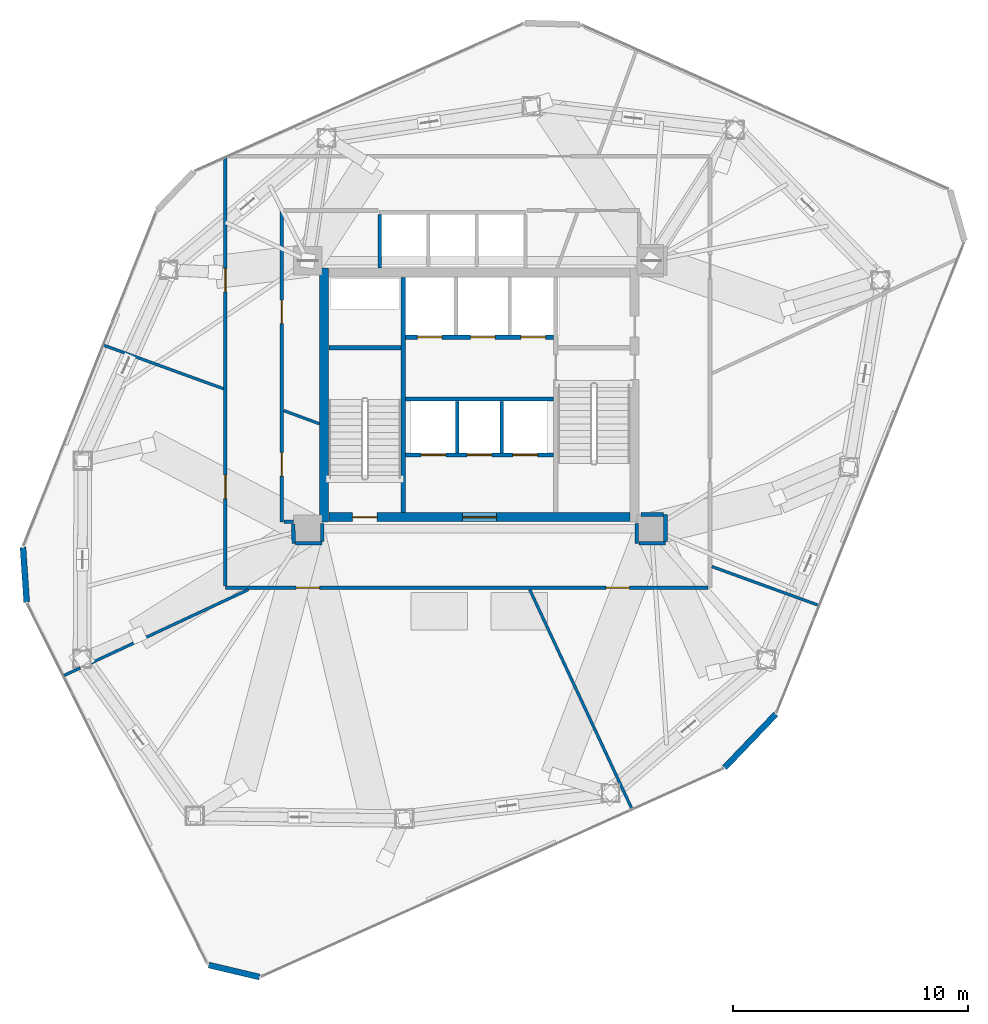
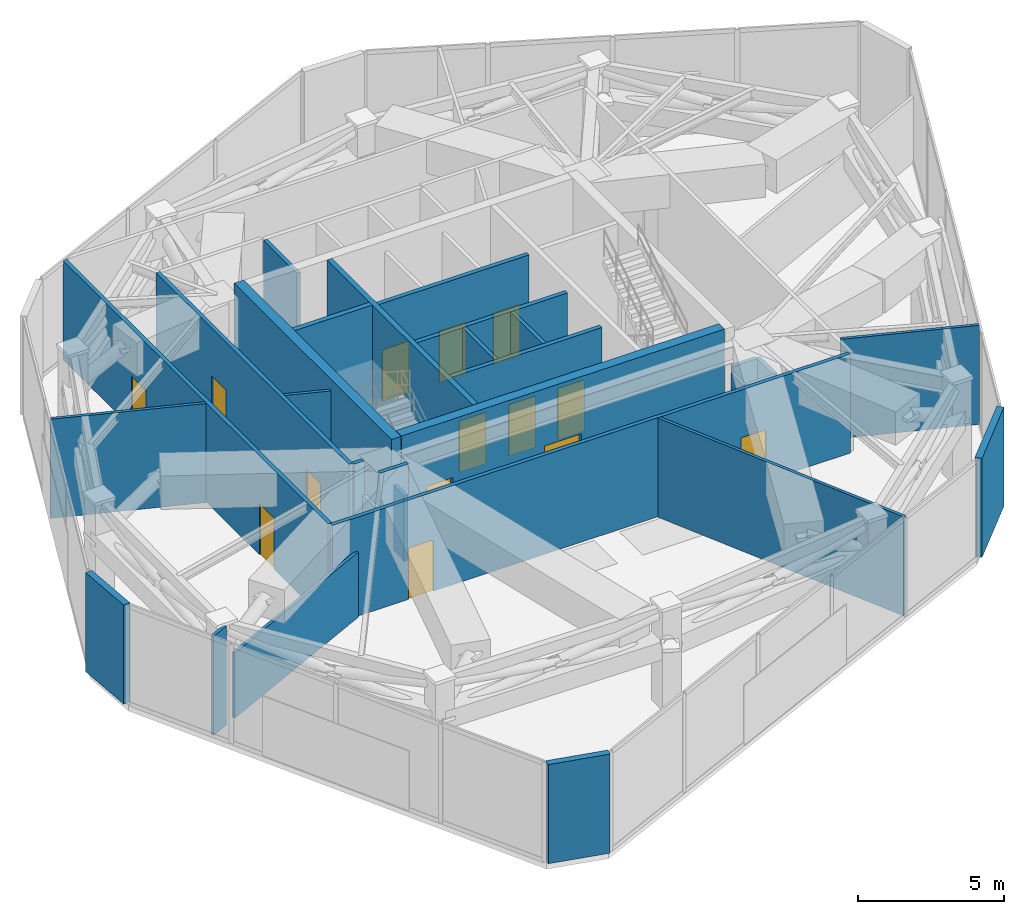
# One storey, part 18 of 21: 30 walls, 14 doors, 14 openings.
"""IFC4 building model written with IfcOpenShell, lengths in metres."""

from ifc_helpers import new_model, si_unit, direction, frame, frame_2d, origin, place, context, subcontext, project, spatial, rectangle, extrude, source, transform, mapped, material, layer, layer_set, type_object, type_shapes, element, fill, save


model = new_model("IFC4")

# Units and contexts
model_context = context("Model", 3, precision=1e-05, world=origin(), true_north=direction((0.0, 1.0)))
body_context = subcontext(model_context, "Body", "Model", "MODEL_VIEW")
ifc_project = project(units=[si_unit("LENGTHUNIT", "METRE"), si_unit("AREAUNIT", "SQUARE_METRE"), si_unit("VOLUMEUNIT", "CUBIC_METRE"), si_unit("PLANEANGLEUNIT", "RADIAN"), si_unit("MASSUNIT", "GRAM", prefix="KILO")], contexts=[model_context])

# Site, building, storey
site_placement = place(None, origin())
site = spatial("IfcSite", under=ifc_project, at=site_placement, CompositionType="ELEMENT")
building_placement = place(site_placement, origin())
building = spatial("IfcBuilding", under=site, at=building_placement, Name="Talar Marvaseh", CompositionType="ELEMENT")
storey_placement = place(building_placement, frame((0.0, 0.0, 162.39990234375)))
storey = spatial("IfcBuildingStorey", under=building, at=storey_placement, Name="L42", CompositionType="ELEMENT", Elevation=162.39990234375)

# Walls
ifc_material_1 = material(Name="Precast concrete C45/55", Category="concrete")
ifc_layer_1 = layer(ifc_material_1, 0.2548828125)
ifc_layer_set_1 = layer_set([ifc_layer_1], Name="Precast concrete C45/55")
wall_type_1 = type_object("IfcWallType", Name="Chamfered Hexagonal Corner Pier Wall Z2 255", PredefinedType="SOLIDWALL", material=ifc_layer_set_1)
wall_1_placement = place(storey_placement, frame((16.65087890625, 6.4453125, 0.0), z_axis=(0.0, 0.0, 1.0), x_axis=(-0.973067936209, 0.230518527503, 0.0)))
element("IfcWall", 1, at=wall_1_placement, inside=storey, type_object=wall_type_1, Name="L42 Chamfered Corner Limestone Pier 1", PredefinedType="SOLIDWALL", context=body_context, shape_type="SweptSolid", body=[
    extrude(rectangle(XDim=2.216796875, YDim=0.2548828125, at=frame_2d((1.1083984375, 0.0))), origin(), (0.0, 0.0, 1.0), 4.150146484375),
])
wall_2_placement = place(storey_placement, frame((6.751220703125, 22.383056640625, 0.0), z_axis=(0.0, 0.0, 1.0), x_axis=(-0.067585026107, 0.997713518123, 0.0)))
element("IfcWall", 2, at=wall_2_placement, inside=storey, type_object=wall_type_1, Name="L42 Chamfered Corner Limestone Pier 2", PredefinedType="SOLIDWALL", context=body_context, shape_type="SweptSolid", body=[
    extrude(rectangle(XDim=2.3408203125, YDim=0.2548828125, at=frame_2d((1.17041015625, 0.0))), origin(), (0.0, 0.0, 1.0), 4.150146484375),
])
wall_3_placement = place(storey_placement, frame((38.5986328125, 17.623291015625, 0.0), z_axis=(0.0, 0.0, 1.0), x_axis=(-0.691540575934, -0.722337616241, 0.0)))
element("IfcWall", 3, at=wall_3_placement, inside=storey, type_object=wall_type_1, Name="L42 Chamfered Corner Limestone Pier 6", PredefinedType="SOLIDWALL", context=body_context, shape_type="SweptSolid", body=[
    extrude(rectangle(XDim=3.155029296875, YDim=0.2548828125, at=frame_2d((1.57763671875, 0.0))), origin(), (0.0, 0.0, 1.0), 4.150146484375),
])

# Wall, openings, doors
ifc_material_2 = material(Name="Gypsum Board Partition Assembly")
ifc_layer_2 = layer(ifc_material_2, 0.155029296875)
ifc_layer_set_2 = layer_set([ifc_layer_2], Name="Gypsum Board Partition Assembly")
wall_type_2 = type_object("IfcWallType", Name="Corridor Fire-Rated Acoustic Partition 155", PredefinedType="PARTITIONING", material=ifc_layer_set_2)
wall_4_placement = place(storey_placement, frame((35.716552734375, 23.0, 0.0), z_axis=(0.0, 0.0, 1.0), x_axis=(-1.0, 0.0, 0.0)))
wall_4 = element("IfcWall", 4, at=wall_4_placement, inside=storey, type_object=wall_type_2, Name="L42 Interior Partition Wall", PredefinedType="PARTITIONING", context=body_context, shape_type="SweptSolid", body=[
    extrude(rectangle(XDim=20.5166015625, YDim=0.155029296875, at=frame_2d((10.25830078125, 0.0))), origin(), (0.0, 0.0, 1.0), 4.150146484375),
])
opening_1_placement = place(wall_4_placement, frame((16.506591796875, 0.0, 0.0)))
opening_1 = element("IfcOpeningElement", 5, at=opening_1_placement, cuts=wall_4, Name="Opening DR-RM100", PredefinedType="OPENING", context=body_context, shape_type="SweptSolid", body=[
    extrude(rectangle(XDim=1.0, YDim=2.14990234375, at=frame_2d((0.5, 1.074951171875))), frame((0.0, 0.08740234375, 0.0), z_axis=(0.0, -1.0, 0.0), x_axis=(1.0, 0.0, 0.0)), (0.0, 0.0, 1.0), 0.175048828125),
])
opening_2_placement = place(wall_4_placement, frame((3.337158203125, 0.0, 0.0)))
opening_2 = element("IfcOpeningElement", 6, at=opening_2_placement, cuts=wall_4, Name="Opening DR-RM100", PredefinedType="OPENING", context=body_context, shape_type="SweptSolid", body=[
    extrude(rectangle(XDim=1.0, YDim=2.14990234375, at=frame_2d((0.5, 1.074951171875))), frame((0.0, 0.08740234375, 0.0), z_axis=(0.0, -1.0, 0.0), x_axis=(1.0, 0.0, 0.0)), (0.0, 0.0, 1.0), 0.175048828125),
])
ifc_material_3 = material(Name="Acoustic Engineered Oak Timber", Category="wood")
door_type_1 = type_object("IfcDoorType", Name="Corridor Fire-Rated Gallery Door 1000x2150", OperationType="NOTDEFINED", PredefinedType="DOOR", material=ifc_material_3)
shared_shape_1 = source(origin(), body_context, "Body", "SweptSolid", [
    extrude(rectangle(XDim=1.0, YDim=2.14990234375, at=frame_2d((0.5, 1.074951171875))), frame((0.0, 0.02490234375, 0.0), z_axis=(0.0, -1.0, 0.0), x_axis=(1.0, 0.0, 0.0)), (0.0, 0.0, 1.0), 0.050048828125),
])
type_shapes(door_type_1, [shared_shape_1])
door_1_placement = place(opening_1_placement, origin())
door_1 = element("IfcDoor", 7, at=door_1_placement, inside=storey, type_object=door_type_1, Name="L42 Area of Refuge South Door", OperationType="SINGLE_SWING_RIGHT", OverallHeight=2.14990234375, OverallWidth=1.0, PredefinedType="DOOR", context=body_context, shape_type="MappedRepresentation", body=[
    mapped(shared_shape_1, transform((0.0, 0.0, 0.0), x_axis=(1.0, 0.0, 0.0), y_axis=(0.0, 1.0, 0.0), z_axis=(0.0, 0.0, 1.0), scale=1.0)),
])
fill(opening_1, door_1)
door_2_placement = place(opening_2_placement, origin())
door_2 = element("IfcDoor", 8, at=door_2_placement, inside=storey, type_object=door_type_1, Name="L42 Area of Refuge South-East Door", OperationType="SINGLE_SWING_LEFT", OverallHeight=2.14990234375, OverallWidth=1.0, PredefinedType="DOOR", context=body_context, shape_type="MappedRepresentation", body=[
    mapped(shared_shape_1, transform((0.0, 0.0, 0.0), x_axis=(1.0, 0.0, 0.0), y_axis=(0.0, 1.0, 0.0), z_axis=(0.0, 0.0, 1.0), scale=1.0)),
])
fill(opening_2, door_2)

wall_5_placement = place(storey_placement, frame((15.199951171875, 23.08349609375, 0.0), z_axis=(0.0, 0.0, 1.0), x_axis=(0.0, 1.0, 0.0)))
wall_5 = element("IfcWall", 9, at=wall_5_placement, inside=storey, type_object=wall_type_2, Name="L42 Interior Partition Wall", PredefinedType="PARTITIONING", context=body_context, shape_type="SweptSolid", body=[
    extrude(rectangle(XDim=18.1904296875, YDim=0.155029296875, at=frame_2d((9.09521484375, 0.0))), origin(), (0.0, 0.0, 1.0), 4.150146484375),
])
opening_3_placement = place(wall_5_placement, frame((3.706298828125, 0.0, 0.0)))
opening_3 = element("IfcOpeningElement", 10, at=opening_3_placement, cuts=wall_5, Name="Opening DR-RM100", PredefinedType="OPENING", context=body_context, shape_type="SweptSolid", body=[
    extrude(rectangle(XDim=1.0, YDim=2.14990234375, at=frame_2d((0.5, 1.074951171875))), frame((0.0, 0.08740234375, 0.0), z_axis=(0.0, -1.0, 0.0), x_axis=(1.0, 0.0, 0.0)), (0.0, 0.0, 1.0), 0.175048828125),
])
opening_4_placement = place(wall_5_placement, frame((12.4921875, 0.0, 0.0)))
opening_4 = element("IfcOpeningElement", 11, at=opening_4_placement, cuts=wall_5, Name="Opening DR-RM100", PredefinedType="OPENING", context=body_context, shape_type="SweptSolid", body=[
    extrude(rectangle(XDim=1.0, YDim=2.14990234375, at=frame_2d((0.5, 1.074951171875))), frame((0.0, 0.08740234375, 0.0), z_axis=(0.0, -1.0, 0.0), x_axis=(1.0, 0.0, 0.0)), (0.0, 0.0, 1.0), 0.175048828125),
])
door_3_placement = place(opening_3_placement, origin())
door_3 = element("IfcDoor", 12, at=door_3_placement, inside=storey, type_object=door_type_1, Name="L42 Area of Refuge South-West Door", OperationType="SINGLE_SWING_LEFT", OverallHeight=2.14990234375, OverallWidth=1.0, PredefinedType="DOOR", context=body_context, shape_type="MappedRepresentation", body=[
    mapped(shared_shape_1, transform((0.0, 0.0, 0.0), x_axis=(1.0, 0.0, 0.0), y_axis=(0.0, 1.0, 0.0), z_axis=(0.0, 0.0, 1.0), scale=1.0)),
])
fill(opening_3, door_3)
door_4_placement = place(opening_4_placement, origin())
door_4 = element("IfcDoor", 13, at=door_4_placement, inside=storey, type_object=door_type_1, Name="L42 Area of Refuge South 3 Door", OperationType="SINGLE_SWING_RIGHT", OverallHeight=2.14990234375, OverallWidth=1.0, PredefinedType="DOOR", context=body_context, shape_type="MappedRepresentation", body=[
    mapped(shared_shape_1, transform((0.0, 0.0, 0.0), x_axis=(1.0, 0.0, 0.0), y_axis=(0.0, 1.0, 0.0), z_axis=(0.0, 0.0, 1.0), scale=1.0)),
])
fill(opening_4, door_4)

wall_6_placement = place(storey_placement, frame((17.60009765625, 39.0400390625, 0.0), z_axis=(0.0, 0.0, 1.0), x_axis=(0.0, -1.0, 0.0)))
wall_6 = element("IfcWall", 14, at=wall_6_placement, inside=storey, type_object=wall_type_2, Name="L42 Interior Partition Wall", PredefinedType="PARTITIONING", context=body_context, shape_type="SweptSolid", body=[
    extrude(rectangle(XDim=13.239990234375, YDim=0.155029296875, at=frame_2d((6.6201171875, 0.0))), origin(), (0.0, 0.0, 1.0), 4.150146484375),
])
opening_5_placement = place(wall_6_placement, frame((3.81591796875, 0.0, 0.0)))
opening_5 = element("IfcOpeningElement", 15, at=opening_5_placement, cuts=wall_6, Name="Opening DR-RM100", PredefinedType="OPENING", context=body_context, shape_type="SweptSolid", body=[
    extrude(rectangle(XDim=1.0, YDim=2.14990234375, at=frame_2d((0.5, 1.074951171875))), frame((0.0, 0.08740234375, 0.0), z_axis=(0.0, -1.0, 0.0), x_axis=(1.0, 0.0, 0.0)), (0.0, 0.0, 1.0), 0.175048828125),
])
opening_6_placement = place(wall_6_placement, frame((10.29150390625, 0.0, 0.0)))
opening_6 = element("IfcOpeningElement", 16, at=opening_6_placement, cuts=wall_6, Name="Opening DR-RM100", PredefinedType="OPENING", context=body_context, shape_type="SweptSolid", body=[
    extrude(rectangle(XDim=1.0, YDim=2.14990234375, at=frame_2d((0.5, 1.074951171875))), frame((0.0, 0.08740234375, 0.0), z_axis=(0.0, -1.0, 0.0), x_axis=(1.0, 0.0, 0.0)), (0.0, 0.0, 1.0), 0.175048828125),
])
door_5_placement = place(opening_5_placement, origin())
door_5 = element("IfcDoor", 17, at=door_5_placement, inside=storey, type_object=door_type_1, Name="L42 Area of Refuge South-West 2 Door", OperationType="SINGLE_SWING_LEFT", OverallHeight=2.14990234375, OverallWidth=1.0, PredefinedType="DOOR", context=body_context, shape_type="MappedRepresentation", body=[
    mapped(shared_shape_1, transform((0.0, 0.0, 0.0), x_axis=(1.0, 0.0, 0.0), y_axis=(0.0, 1.0, 0.0), z_axis=(0.0, 0.0, 1.0), scale=1.0)),
])
fill(opening_5, door_5)
door_6_placement = place(opening_6_placement, origin())
door_6 = element("IfcDoor", 18, at=door_6_placement, inside=storey, type_object=door_type_1, Name="L42 Area of Refuge South-East 4 Door", OperationType="SINGLE_SWING_LEFT", OverallHeight=2.14990234375, OverallWidth=1.0, PredefinedType="DOOR", context=body_context, shape_type="MappedRepresentation", body=[
    mapped(shared_shape_1, transform((0.0, 0.0, 0.0), x_axis=(1.0, 0.0, 0.0), y_axis=(0.0, 1.0, 0.0), z_axis=(0.0, 0.0, 1.0), scale=1.0)),
])
fill(opening_6, door_6)

# Walls
wall_7_placement = place(storey_placement, frame((17.68359375, 25.800048828125, 0.0), z_axis=(0.0, 0.0, 1.0), x_axis=(1.0, 0.0, 0.0)))
element("IfcWall", 19, at=wall_7_placement, inside=storey, type_object=wall_type_2, Name="L42 Interior Partition Wall", PredefinedType="PARTITIONING", context=body_context, shape_type="SweptSolid", body=[
    extrude(rectangle(XDim=0.4013671875, YDim=0.155029296875, at=frame_2d((0.20068359375, 0.0))), origin(), (0.0, 0.0, 1.0), 4.150146484375),
])
wall_8_placement = place(storey_placement, frame((18.08642578125, 25.716552734375, 0.0), z_axis=(0.0, 0.0, 1.0), x_axis=(0.016439351857, -0.999864864724, 0.0)))
element("IfcWall", 20, at=wall_8_placement, inside=storey, type_object=wall_type_2, Name="L42 Interior Partition Wall", PredefinedType="PARTITIONING", context=body_context, shape_type="SweptSolid", body=[
    extrude(rectangle(XDim=0.83154296875, YDim=0.155029296875, at=frame_2d((0.415771484375, 0.0))), origin(), (0.0, 0.0, 1.0), 2.72509765625),
])
wall_9_placement = place(storey_placement, frame((18.18359375, 24.88525390625, 0.0), z_axis=(0.0, 0.0, 1.0), x_axis=(0.999998091829, 0.00195354522, 0.0)))
element("IfcWall", 21, at=wall_9_placement, inside=storey, type_object=wall_type_2, Name="L42 Interior Partition Wall", PredefinedType="PARTITIONING", context=body_context, shape_type="SweptSolid", body=[
    extrude(rectangle(XDim=1.124755859375, YDim=0.155029296875, at=frame_2d((0.5625, 0.0))), origin(), (0.0, 0.0, 1.0), 4.150146484375),
])
wall_10_placement = place(storey_placement, frame((19.30908203125, 24.970947265625, 0.0), z_axis=(0.0, 0.0, 1.0), x_axis=(0.007719293966, 0.999970205806, 0.0)))
element("IfcWall", 22, at=wall_10_placement, inside=storey, type_object=wall_type_2, Name="L42 Interior Partition Wall", PredefinedType="PARTITIONING", context=body_context, shape_type="SweptSolid", body=[
    extrude(rectangle(XDim=0.759033203125, YDim=0.155029296875, at=frame_2d((0.37939453125, 0.0))), origin(), (0.0, 0.0, 1.0), 2.72509765625),
])
wall_11_placement = place(storey_placement, frame((32.68505859375, 25.72998046875, 0.0), z_axis=(0.0, 0.0, 1.0), x_axis=(0.006382231486, -0.999979633353, 0.0)))
element("IfcWall", 23, at=wall_11_placement, inside=storey, type_object=wall_type_2, Name="L42 Interior Partition Wall", PredefinedType="PARTITIONING", context=body_context, shape_type="SweptSolid", body=[
    extrude(rectangle(XDim=0.841552734375, YDim=0.155029296875, at=frame_2d((0.4208984375, 0.0))), origin(), (0.0, 0.0, 1.0), 2.72509765625),
])
wall_12_placement = place(storey_placement, frame((32.77392578125, 24.888427734375, 0.0), z_axis=(0.0, 0.0, 1.0), x_axis=(1.0, 0.0, 0.0)))
element("IfcWall", 24, at=wall_12_placement, inside=storey, type_object=wall_type_2, Name="L42 Interior Partition Wall", PredefinedType="PARTITIONING", context=body_context, shape_type="SweptSolid", body=[
    extrude(rectangle(XDim=1.135498046875, YDim=0.155029296875, at=frame_2d((0.56787109375, 0.0))), origin(), (0.0, 0.0, 1.0), 2.72509765625),
])
wall_13_placement = place(storey_placement, frame((33.90966796875, 24.971923828125, 0.0), z_axis=(0.0, 0.0, 1.0), x_axis=(0.001716735668, 0.999998526408, 0.0)))
element("IfcWall", 25, at=wall_13_placement, inside=storey, type_object=wall_type_2, Name="L42 Interior Partition Wall", PredefinedType="PARTITIONING", context=body_context, shape_type="SweptSolid", body=[
    extrude(rectangle(XDim=1.1376953125, YDim=0.155029296875, at=frame_2d((0.56884765625, 0.0))), origin(), (0.0, 0.0, 1.0), 2.72509765625),
])
wall_14_placement = place(storey_placement, frame((33.828125, 26.110107421875, 0.0), z_axis=(0.0, 0.0, 1.0), x_axis=(-0.999987011364, 0.005096773758, 0.0)))
element("IfcWall", 26, at=wall_14_placement, inside=storey, type_object=wall_type_2, Name="L42 Interior Partition Wall", PredefinedType="PARTITIONING", context=body_context, shape_type="SweptSolid", body=[
    extrude(rectangle(XDim=0.9580078125, YDim=0.155029296875, at=frame_2d((0.47900390625, 0.0))), origin(), (0.0, 0.0, 1.0), 2.72509765625),
])
ifc_layer_3 = layer(ifc_material_2, 0.1201171875)
ifc_layer_set_3 = layer_set([ifc_layer_3], Name="Gypsum Board Partition Assembly")
wall_type_3 = type_object("IfcWallType", Name="Demountable Studio Room Partition 120", PredefinedType="PARTITIONING", material=ifc_layer_set_3)
wall_15_placement = place(storey_placement, frame((16.1708984375, 22.91650390625, 0.0), z_axis=(0.0, 0.0, 1.0), x_axis=(-0.906250813075, -0.422740421301, 0.0)))
element("IfcWall", 27, at=wall_15_placement, inside=storey, type_object=wall_type_3, Name="L42 Interior Partition Wall", PredefinedType="PARTITIONING", context=body_context, shape_type="SweptSolid", body=[
    extrude(rectangle(XDim=7.3720703125, YDim=0.1201171875, at=frame_2d((3.68603515625, 0.0))), origin(), (0.0, 0.0, 1.0), 2.72509765625),
])
wall_16_placement = place(storey_placement, frame((9.030029296875, 19.590087890625, 0.0), z_axis=(0.0, 0.0, 1.0), x_axis=(-0.907446695622, -0.420167222193, 0.0)))
element("IfcWall", 28, at=wall_16_placement, inside=storey, type_object=wall_type_3, Name="L42 Interior Partition Wall", PredefinedType="PARTITIONING", context=body_context, shape_type="SweptSolid", body=[
    extrude(rectangle(XDim=0.767578125, YDim=0.1201171875, at=frame_2d((0.3837890625, 0.0))), origin(), (0.0, 0.0, 1.0), 4.150146484375),
])
wall_17_placement = place(storey_placement, frame((10.02880859375, 33.30859375, 0.0), z_axis=(0.0, 0.0, 1.0), x_axis=(0.939892148961, -0.341471445836, 0.0)))
element("IfcWall", 29, at=wall_17_placement, inside=storey, type_object=wall_type_3, Name="L42 Interior Partition Wall", PredefinedType="PARTITIONING", context=body_context, shape_type="SweptSolid", body=[
    extrude(rectangle(XDim=5.4130859375, YDim=0.1201171875, at=frame_2d((2.70654296875, 0.0))), origin(), (0.0, 0.0, 1.0), 4.150146484375),
])
wall_18_placement = place(storey_placement, frame((28.138916015625, 22.91650390625, 0.0), z_axis=(0.0, 0.0, 1.0), x_axis=(0.42234608786, -0.906434654054, 0.0)))
element("IfcWall", 30, at=wall_18_placement, inside=storey, type_object=wall_type_3, Name="L42 Interior Partition Wall", PredefinedType="PARTITIONING", context=body_context, shape_type="SweptSolid", body=[
    extrude(rectangle(XDim=10.284912109375, YDim=0.1201171875, at=frame_2d((5.142578125, 0.0))), origin(), (0.0, 0.0, 1.0), 4.150146484375),
])
wall_19_placement = place(storey_placement, frame((35.883544921875, 23.899658203125, 0.0), z_axis=(0.0, 0.0, 1.0), x_axis=(0.939920279449, -0.341394007389, 0.0)))
element("IfcWall", 31, at=wall_19_placement, inside=storey, type_object=wall_type_3, Name="L42 Interior Partition Wall", PredefinedType="PARTITIONING", context=body_context, shape_type="SweptSolid", body=[
    extrude(rectangle(XDim=4.830078125, YDim=0.1201171875, at=frame_2d((2.4150390625, 0.0))), origin(), (0.0, 0.0, 1.0), 4.150146484375),
])
wall_20_placement = place(storey_placement, frame((19.199951171875, 29.969970703125, 0.0), z_axis=(0.0, 0.0, 1.0), x_axis=(-0.938208937942, 0.34606934098, 0.0)))
element("IfcWall", 32, at=wall_20_placement, inside=storey, type_object=wall_type_3, Name="L42 Interior Partition Wall", PredefinedType="PARTITIONING", context=body_context, shape_type="SweptSolid", body=[
    extrude(rectangle(XDim=1.6162109375, YDim=0.1201171875, at=frame_2d((0.80810546875, 0.0))), origin(), (0.0, 0.0, 1.0), 4.150146484375),
])
ifc_layer_4 = layer(ifc_material_1, 0.14501953125)
ifc_layer_set_4 = layer_set([ifc_layer_4], Name="Precast concrete C45/55")
wall_type_4 = type_object("IfcWallType", Name="Fire-Rated Lift Divider Wall 145", PredefinedType="SOLIDWALL", material=ifc_layer_set_4)
for number, where, z_axis, x_axis, name in (
    (33, (25.050048828125, 28.719970703125, 0.0), (0.0, 0.0, 1.0), (0.0, 1.0, 0.0), "L42 PL-H1/PL-H2 Divider"),
    (34, (26.949951171875, 28.719970703125, 0.0), (0.0, 0.0, 1.0), (0.0, 1.0, 0.0), "L42 PL-H2/PL-H3 Divider"),
):
    element("IfcWall", number, at=place(storey_placement, frame(where, z_axis=z_axis, x_axis=x_axis)), inside=storey, type_object=wall_type_4, Name=name, PredefinedType="SOLIDWALL", context=body_context, shape_type="SweptSolid", body=[
        extrude(rectangle(XDim=2.20654296875, YDim=0.14501953125, at=frame_2d((1.103271484375, 0.0))), origin(), (0.0, 0.0, 1.0), 4.150146484375),
    ])
wall_21_placement = place(storey_placement, frame((21.760009765625, 36.60009765625, 0.0), z_axis=(0.0, 0.0, 1.0), x_axis=(0.0, 1.0, 0.0)))
element("IfcWall", 35, at=wall_21_placement, inside=storey, type_object=wall_type_4, Name="L42 Low-Rise Bank West Wall", PredefinedType="SOLIDWALL", context=body_context, shape_type="SweptSolid", body=[
    extrude(rectangle(XDim=2.266357421875, YDim=0.14501953125, at=frame_2d((1.13330078125, 0.0))), origin(), (0.0, 0.0, 1.0), 4.150146484375),
])

# Wall, openings, doors
ifc_layer_5 = layer(ifc_material_1, 0.175048828125)
ifc_layer_set_5 = layer_set([ifc_layer_5], Name="Precast concrete C45/55")
wall_type_5 = type_object("IfcWallType", Name="Fire-Rated Lift Hoistway Enclosure Wall 175", PredefinedType="SOLIDWALL", material=ifc_layer_set_5)
wall_22_placement = place(storey_placement, frame((22.860107421875, 33.64990234375, 0.0), z_axis=(0.0, 0.0, 1.0), x_axis=(1.0, 0.0, 0.0)))
wall_22 = element("IfcWall", 36, at=wall_22_placement, inside=storey, type_object=wall_type_5, Name="L42 Firefighting and Service Lift Front Wall", PredefinedType="SOLIDWALL", context=body_context, shape_type="SweptSolid", body=[
    extrude(rectangle(XDim=6.27978515625, YDim=0.175048828125, at=frame_2d((3.139892578125, 0.0))), origin(), (0.0, 0.0, 1.0), 4.150146484375),
])
opening_7_placement = place(wall_22_placement, frame((0.5, 0.0, 0.0)))
opening_7 = element("IfcOpeningElement", 37, at=opening_7_placement, cuts=wall_22, Name="Opening LD-FF1", PredefinedType="OPENING", context=body_context, shape_type="SweptSolid", body=[
    extrude(rectangle(XDim=1.050048828125, YDim=2.14990234375, at=frame_2d((0.52490234375, 1.074951171875))), frame((0.0, 0.09765625, 0.0), z_axis=(0.0, -1.0, 0.0), x_axis=(1.0, 0.0, 0.0)), (0.0, 0.0, 1.0), 0.195068359375),
])
opening_8_placement = place(wall_22_placement, frame((2.760009765625, 0.0, 0.0)))
opening_8 = element("IfcOpeningElement", 38, at=opening_8_placement, cuts=wall_22, Name="Opening LD-FF2", PredefinedType="OPENING", context=body_context, shape_type="SweptSolid", body=[
    extrude(rectangle(XDim=1.050048828125, YDim=2.14990234375, at=frame_2d((0.52490234375, 1.074951171875))), frame((0.0, 0.09765625, 0.0), z_axis=(0.0, -1.0, 0.0), x_axis=(1.0, 0.0, 0.0)), (0.0, 0.0, 1.0), 0.195068359375),
])
opening_9_placement = place(wall_22_placement, frame((4.89990234375, 0.0, 0.0)))
opening_9 = element("IfcOpeningElement", 39, at=opening_9_placement, cuts=wall_22, Name="Opening LD-SV1", PredefinedType="OPENING", context=body_context, shape_type="SweptSolid", body=[
    extrude(rectangle(XDim=1.050048828125, YDim=2.14990234375, at=frame_2d((0.52490234375, 1.074951171875))), frame((0.0, 0.09765625, 0.0), z_axis=(0.0, -1.0, 0.0), x_axis=(1.0, 0.0, 0.0)), (0.0, 0.0, 1.0), 0.195068359375),
])
ifc_material_4 = material(Name="Stainless Steel Grade 316", Category="steel")
door_type_2 = type_object("IfcDoorType", Name="Automatic Sliding Lift Landing Door 1050x2150", OperationType="NOTDEFINED", PredefinedType="DOOR", material=ifc_material_4)
shared_shape_2 = source(origin(), body_context, "Body", "SweptSolid", [
    extrude(rectangle(XDim=1.050048828125, YDim=2.14990234375, at=frame_2d((0.52490234375, 1.074951171875))), frame((0.0, 0.02490234375, 0.0), z_axis=(0.0, -1.0, 0.0), x_axis=(1.0, 0.0, 0.0)), (0.0, 0.0, 1.0), 0.050048828125),
])
type_shapes(door_type_2, [shared_shape_2])
door_7_placement = place(opening_7_placement, origin())
door_7 = element("IfcDoor", 40, at=door_7_placement, inside=storey, type_object=door_type_2, Name="L42 Lift FFL-1 Sliding Landing Door", OperationType="SLIDING_TO_LEFT", OverallHeight=2.14990234375, OverallWidth=1.050048828125, PredefinedType="DOOR", context=body_context, shape_type="MappedRepresentation", body=[
    mapped(shared_shape_2, transform((0.0, 0.0, 0.0), x_axis=(1.0, 0.0, 0.0), y_axis=(0.0, 1.0, 0.0), z_axis=(0.0, 0.0, 1.0), scale=1.0)),
])
fill(opening_7, door_7)
door_8_placement = place(opening_8_placement, origin())
door_8 = element("IfcDoor", 41, at=door_8_placement, inside=storey, type_object=door_type_2, Name="L42 Lift FFL-2 Sliding Landing Door", OperationType="SLIDING_TO_LEFT", OverallHeight=2.14990234375, OverallWidth=1.050048828125, PredefinedType="DOOR", context=body_context, shape_type="MappedRepresentation", body=[
    mapped(shared_shape_2, transform((0.0, 0.0, 0.0), x_axis=(1.0, 0.0, 0.0), y_axis=(0.0, 1.0, 0.0), z_axis=(0.0, 0.0, 1.0), scale=1.0)),
])
fill(opening_8, door_8)
door_9_placement = place(opening_9_placement, origin())
door_9 = element("IfcDoor", 42, at=door_9_placement, inside=storey, type_object=door_type_2, Name="L42 Lift SVL-1 Sliding Landing Door", OperationType="SLIDING_TO_LEFT", OverallHeight=2.14990234375, OverallWidth=1.050048828125, PredefinedType="DOOR", context=body_context, shape_type="MappedRepresentation", body=[
    mapped(shared_shape_2, transform((0.0, 0.0, 0.0), x_axis=(1.0, 0.0, 0.0), y_axis=(0.0, 1.0, 0.0), z_axis=(0.0, 0.0, 1.0), scale=1.0)),
])
fill(opening_9, door_9)

# Wall
wall_23_placement = place(storey_placement, frame((22.860107421875, 31.02001953125, 0.0), z_axis=(0.0, 0.0, 1.0), x_axis=(1.0, 0.0, 0.0)))
element("IfcWall", 43, at=wall_23_placement, inside=storey, type_object=wall_type_5, Name="L42 Firefighting Lobby South Smoke Wall", PredefinedType="SOLIDWALL", context=body_context, shape_type="SweptSolid", body=[
    extrude(rectangle(XDim=6.27978515625, YDim=0.175048828125, at=frame_2d((3.139892578125, 0.0))), origin(), (0.0, 0.0, 1.0), 4.150146484375),
])

# Wall, openings, doors
wall_24_placement = place(storey_placement, frame((22.860107421875, 28.639892578125, 0.0), z_axis=(0.0, 0.0, 1.0), x_axis=(1.0, 0.0, 0.0)))
wall_24 = element("IfcWall", 44, at=wall_24_placement, inside=storey, type_object=wall_type_5, Name="L42 High-Rise Lift Bank Front Wall", PredefinedType="SOLIDWALL", context=body_context, shape_type="SweptSolid", body=[
    extrude(rectangle(XDim=6.27978515625, YDim=0.175048828125, at=frame_2d((3.139892578125, 0.0))), origin(), (0.0, 0.0, 1.0), 4.150146484375),
])
opening_10_placement = place(wall_24_placement, frame((0.659912109375, 0.0, 0.0)))
opening_10 = element("IfcOpeningElement", 45, at=opening_10_placement, cuts=wall_24, Name="Opening LD-PLH1", PredefinedType="OPENING", context=body_context, shape_type="SweptSolid", body=[
    extrude(rectangle(XDim=1.050048828125, YDim=2.14990234375, at=frame_2d((0.52490234375, 1.074951171875))), frame((0.0, 0.09765625, 0.0), z_axis=(0.0, -1.0, 0.0), x_axis=(1.0, 0.0, 0.0)), (0.0, 0.0, 1.0), 0.195068359375),
])
opening_11_placement = place(wall_24_placement, frame((2.6201171875, 0.0, 0.0)))
opening_11 = element("IfcOpeningElement", 46, at=opening_11_placement, cuts=wall_24, Name="Opening LD-PLH2", PredefinedType="OPENING", context=body_context, shape_type="SweptSolid", body=[
    extrude(rectangle(XDim=1.050048828125, YDim=2.14990234375, at=frame_2d((0.52490234375, 1.074951171875))), frame((0.0, 0.09765625, 0.0), z_axis=(0.0, -1.0, 0.0), x_axis=(1.0, 0.0, 0.0)), (0.0, 0.0, 1.0), 0.195068359375),
])
opening_12_placement = place(wall_24_placement, frame((4.56005859375, 0.0, 0.0)))
opening_12 = element("IfcOpeningElement", 47, at=opening_12_placement, cuts=wall_24, Name="Opening LD-PLH3", PredefinedType="OPENING", context=body_context, shape_type="SweptSolid", body=[
    extrude(rectangle(XDim=1.050048828125, YDim=2.14990234375, at=frame_2d((0.52490234375, 1.074951171875))), frame((0.0, 0.09765625, 0.0), z_axis=(0.0, -1.0, 0.0), x_axis=(1.0, 0.0, 0.0)), (0.0, 0.0, 1.0), 0.195068359375),
])
door_10_placement = place(opening_10_placement, origin())
door_10 = element("IfcDoor", 48, at=door_10_placement, inside=storey, type_object=door_type_2, Name="L42 Lift PL-H1 Sliding Landing Door", OperationType="SLIDING_TO_LEFT", OverallHeight=2.14990234375, OverallWidth=1.050048828125, PredefinedType="DOOR", context=body_context, shape_type="MappedRepresentation", body=[
    mapped(shared_shape_2, transform((0.0, 0.0, 0.0), x_axis=(1.0, 0.0, 0.0), y_axis=(0.0, 1.0, 0.0), z_axis=(0.0, 0.0, 1.0), scale=1.0)),
])
fill(opening_10, door_10)
door_11_placement = place(opening_11_placement, origin())
door_11 = element("IfcDoor", 49, at=door_11_placement, inside=storey, type_object=door_type_2, Name="L42 Lift PL-H2 Sliding Landing Door", OperationType="SLIDING_TO_LEFT", OverallHeight=2.14990234375, OverallWidth=1.050048828125, PredefinedType="DOOR", context=body_context, shape_type="MappedRepresentation", body=[
    mapped(shared_shape_2, transform((0.0, 0.0, 0.0), x_axis=(1.0, 0.0, 0.0), y_axis=(0.0, 1.0, 0.0), z_axis=(0.0, 0.0, 1.0), scale=1.0)),
])
fill(opening_11, door_11)
door_12_placement = place(opening_12_placement, origin())
door_12 = element("IfcDoor", 50, at=door_12_placement, inside=storey, type_object=door_type_2, Name="L42 Lift PL-H3 Sliding Landing Door", OperationType="SLIDING_TO_LEFT", OverallHeight=2.14990234375, OverallWidth=1.050048828125, PredefinedType="DOOR", context=body_context, shape_type="MappedRepresentation", body=[
    mapped(shared_shape_2, transform((0.0, 0.0, 0.0), x_axis=(1.0, 0.0, 0.0), y_axis=(0.0, 1.0, 0.0), z_axis=(0.0, 0.0, 1.0), scale=1.0)),
])
fill(opening_12, door_12)

# Wall
ifc_material_5 = material(Name="Concrete C60/75", Category="concrete")
ifc_layer_6 = layer(ifc_material_5, 0.3798828125)
ifc_layer_set_6 = layer_set([ifc_layer_6], Name="Concrete C60/75")
wall_type_6 = type_object("IfcWallType", Name="Mid Core Reinforced Concrete Shear Wall 380", PredefinedType="SHEAR", material=ifc_layer_set_6)
wall_25_placement = place(storey_placement, frame((19.39990234375, 25.800048828125, 0.0), z_axis=(0.0, 0.0, 1.0), x_axis=(0.0, 1.0, 0.0)))
element("IfcWall", 51, at=wall_25_placement, inside=storey, type_object=wall_type_6, Name="L42 West Core Shear Wall", PredefinedType="SHEAR", context=body_context, shape_type="SweptSolid", body=[
    extrude(rectangle(XDim=10.800048828125, YDim=0.3798828125, at=frame_2d((5.39990234375, 0.0))), origin(), (0.0, 0.0, 1.0), 4.60009765625),
])

# Wall, openings, doors
wall_26_placement = place(storey_placement, frame((32.39990234375, 26.0, 0.0), z_axis=(0.0, 0.0, 1.0), x_axis=(-1.0, 0.0, 0.0)))
wall_26 = element("IfcWall", 52, at=wall_26_placement, inside=storey, type_object=wall_type_6, Name="L42 South Core Shear Wall", PredefinedType="SHEAR", context=body_context, shape_type="SweptSolid", body=[
    extrude(rectangle(XDim=12.7998046875, YDim=0.3798828125, at=frame_2d((6.39990234375, 0.0))), origin(), (0.0, 0.0, 1.0), 4.60009765625),
])
opening_13_placement = place(wall_26_placement, frame((10.75, 0.0, 0.0)))
opening_13 = element("IfcOpeningElement", 53, at=opening_13_placement, cuts=wall_26, Name="Opening DR-ST105", PredefinedType="OPENING", context=body_context, shape_type="SweptSolid", body=[
    extrude(rectangle(XDim=1.050048828125, YDim=2.14990234375, at=frame_2d((0.52490234375, 1.074951171875))), frame((0.0, 0.199951171875, 0.0), z_axis=(0.0, -1.0, 0.0), x_axis=(1.0, 0.0, 0.0)), (0.0, 0.0, 1.0), 0.39990234375),
])
opening_14_placement = place(wall_26_placement, frame((5.669921875, 0.0, 0.0)))
opening_14 = element("IfcOpeningElement", 54, at=opening_14_placement, cuts=wall_26, Name="Opening DR-LBY145", PredefinedType="OPENING", context=body_context, shape_type="SweptSolid", body=[
    extrude(rectangle(XDim=1.449951171875, YDim=2.199951171875, at=frame_2d((0.72509765625, 1.10009765625))), frame((0.0, 0.199951171875, 0.0), z_axis=(0.0, -1.0, 0.0), x_axis=(1.0, 0.0, 0.0)), (0.0, 0.0, 1.0), 0.39990234375),
])
ifc_material_6 = material(Name="Fire-Rated Steel Door Leaf", Category="steel")
door_type_3 = type_object("IfcDoorType", Name="Protected Exit Stair Fire Door 1050x2150", OperationType="NOTDEFINED", PredefinedType="DOOR", material=ifc_material_6)
shared_shape_3 = source(origin(), body_context, "Body", "SweptSolid", [
    extrude(rectangle(XDim=1.050048828125, YDim=2.14990234375, at=frame_2d((0.52490234375, 1.074951171875))), frame((0.0, 0.02490234375, 0.0), z_axis=(0.0, -1.0, 0.0), x_axis=(1.0, 0.0, 0.0)), (0.0, 0.0, 1.0), 0.050048828125),
])
type_shapes(door_type_3, [shared_shape_3])
door_13_placement = place(opening_13_placement, origin())
door_13 = element("IfcDoor", 55, at=door_13_placement, inside=storey, type_object=door_type_3, Name="L42 Stair ST-1 Exit Door", OperationType="SINGLE_SWING_RIGHT", OverallHeight=2.14990234375, OverallWidth=1.050048828125, PredefinedType="DOOR", context=body_context, shape_type="MappedRepresentation", body=[
    mapped(shared_shape_3, transform((0.0, 0.0, 0.0), x_axis=(1.0, 0.0, 0.0), y_axis=(0.0, 1.0, 0.0), z_axis=(0.0, 0.0, 1.0), scale=1.0)),
])
fill(opening_13, door_13)
door_type_4 = type_object("IfcDoorType", Name="Core Lift Lobby Double Smoke Door 1450x2200", OperationType="NOTDEFINED", PredefinedType="DOOR", material=ifc_material_6)
shared_shape_4 = source(origin(), body_context, "Body", "SweptSolid", [
    extrude(rectangle(XDim=1.449951171875, YDim=2.199951171875, at=frame_2d((0.72509765625, 1.10009765625))), frame((0.0, 0.02490234375, 0.0), z_axis=(0.0, -1.0, 0.0), x_axis=(1.0, 0.0, 0.0)), (0.0, 0.0, 1.0), 0.050048828125),
])
type_shapes(door_type_4, [shared_shape_4])
door_14_placement = place(opening_14_placement, origin())
door_14 = element("IfcDoor", 56, at=door_14_placement, inside=storey, type_object=door_type_4, Name="L42 Passenger Lift Lobby Entrance Door", OperationType="DOUBLE_DOOR_SINGLE_SWING", OverallHeight=2.199951171875, OverallWidth=1.449951171875, PredefinedType="DOOR", context=body_context, shape_type="MappedRepresentation", body=[
    mapped(shared_shape_4, transform((0.0, 0.0, 0.0), x_axis=(1.0, 0.0, 0.0), y_axis=(0.0, 1.0, 0.0), z_axis=(0.0, 0.0, 1.0), scale=1.0)),
])
fill(opening_14, door_14)

# Walls
ifc_material_7 = material(Name="Concrete C50/60", Category="concrete")
ifc_layer_7 = layer(ifc_material_7, 0.199951171875)
ifc_layer_set_7 = layer_set([ifc_layer_7], Name="Concrete C50/60")
wall_type_7 = type_object("IfcWallType", Name="Stair Shaft Structural Concrete Shear Wall 200", PredefinedType="SHEAR", material=ifc_layer_set_7)
wall_27_placement = place(storey_placement, frame((22.760009765625, 26.199951171875, 0.0), z_axis=(0.0, 0.0, 1.0), x_axis=(0.0, 1.0, 0.0)))
element("IfcWall", 57, at=wall_27_placement, inside=storey, type_object=wall_type_7, Name="L42 Core West Stair Shear Wall", PredefinedType="SHEAR", context=body_context, shape_type="SweptSolid", body=[
    extrude(rectangle(XDim=10.0, YDim=0.199951171875, at=frame_2d((5.0, 0.0))), origin(), (0.0, 0.0, 1.0), 4.60009765625),
])
wall_28_placement = place(storey_placement, frame((19.60009765625, 33.199951171875, 0.0), z_axis=(0.0, 0.0, 1.0), x_axis=(1.0, 0.0, 0.0)))
element("IfcWall", 58, at=wall_28_placement, inside=storey, type_object=wall_type_7, Name="L42 Stair ST-1 North Shear Wall", PredefinedType="SHEAR", context=body_context, shape_type="SweptSolid", body=[
    extrude(rectangle(XDim=3.059814453125, YDim=0.199951171875, at=frame_2d((1.52978515625, 0.0))), origin(), (0.0, 0.0, 1.0), 4.60009765625),
])

save(model, "model.ifc")
